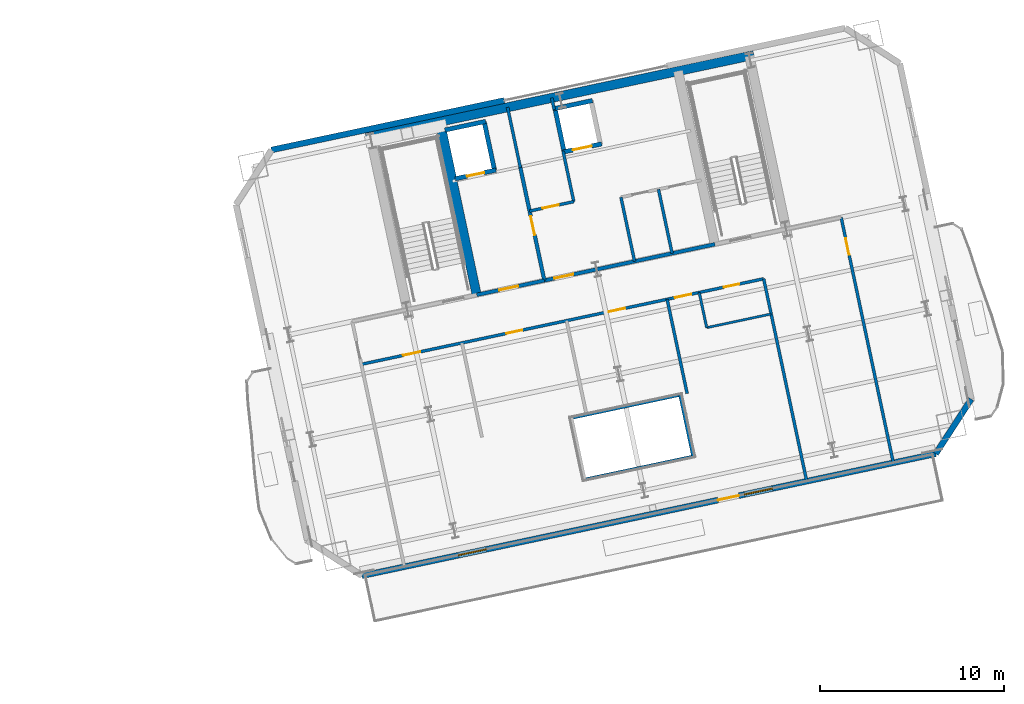
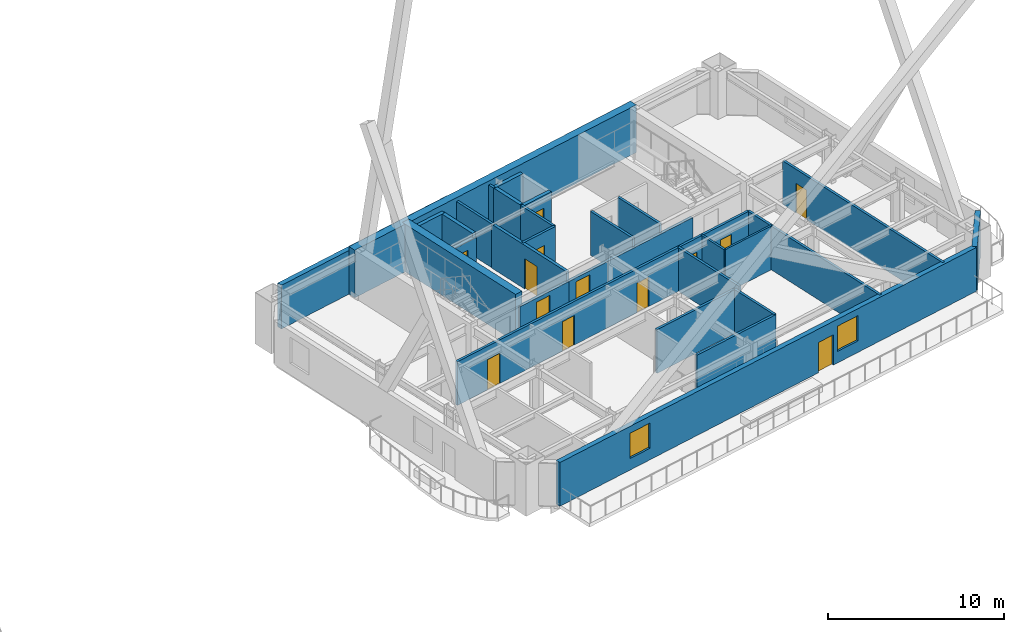
# One storey, part 14 of 22: 29 walls, 13 doors, 2 windows, 15 openings.
"""IFC4 building model written with IfcOpenShell, lengths in metres."""

from ifc_helpers import new_model, si_unit, direction, frame, frame_2d, origin, place, context, subcontext, project, spatial, rectangle, extrude, material, layer, layer_set, type_object, element, fill, save


model = new_model("IFC4")

# Units and contexts
model_context = context("Model", 3, precision=1e-05, world=origin(), true_north=direction((0.0, 1.0)))
body_context = subcontext(model_context, "Body", "Model", "MODEL_VIEW")
ifc_project = project(units=[si_unit("LENGTHUNIT", "METRE"), si_unit("AREAUNIT", "SQUARE_METRE"), si_unit("VOLUMEUNIT", "CUBIC_METRE"), si_unit("PLANEANGLEUNIT", "RADIAN"), si_unit("MASSUNIT", "GRAM", prefix="KILO")], contexts=[model_context])

# Site, building, storey
site_placement = place(None, origin())
site = spatial("IfcSite", under=ifc_project, at=site_placement, CompositionType="ELEMENT")
building_placement = place(site_placement, origin())
building = spatial("IfcBuilding", under=site, at=building_placement, Name="Haevon Station Towers", CompositionType="ELEMENT")
storey_placement = place(building_placement, frame((0.0, 0.0, 113.10009765625)))
storey = spatial("IfcBuildingStorey", under=building, at=storey_placement, Name="L30", CompositionType="ELEMENT", Elevation=113.10009765625)

# Wall, opening, door
ifc_material_1 = material(Name="Gypsum board on steel stud", Category="steel")
ifc_layer_1 = layer(ifc_material_1, 0.199951171875)
ifc_layer_set_1 = layer_set([ifc_layer_1], Name="Gypsum board on steel stud")
wall_type_1 = type_object("IfcWallType", Name="WL-COR200", PredefinedType="PARTITIONING", material=ifc_layer_set_1)
wall_1_placement = place(storey_placement, frame((106.186279296875, 39.0224609375, 0.0), z_axis=(0.0, 0.0, 1.0), x_axis=(-0.207916691923, 0.978146537703, 0.0)))
wall_1 = element("IfcWall", 1, at=wall_1_placement, inside=storey, type_object=wall_type_1, Name="WL-T2FFL-L30-E", PredefinedType="PARTITIONING", context=body_context, shape_type="SweptSolid", body=[
    extrude(rectangle(XDim=6.35009765625, YDim=0.199951171875, at=frame_2d((3.175048828125, 0.0))), origin(), (0.0, 0.0, 1.0), 3.02978515625),
])
opening_1_placement = place(wall_1_placement, frame((2.52001953125, 0.0, 0.0)))
opening_1 = element("IfcOpeningElement", 2, at=opening_1_placement, cuts=wall_1, Name="Opening DR-T2FFL-L30-E", PredefinedType="OPENING", context=body_context, shape_type="SweptSolid", body=[
    extrude(rectangle(XDim=1.050048828125, YDim=2.10009765625, at=frame_2d((0.52490234375, 1.050048828125))), frame((0.0, 0.10986328125, 0.0), z_axis=(0.0, -1.0, 0.0), x_axis=(1.0, 0.0, 0.0)), (0.0, 0.0, 1.0), 0.219970703125),
])
ifc_material_2 = material(Name="Engineered oak timber", Category="wood")
door_type_1 = type_object("IfcDoorType", Name="DR-FD60-1050", OperationType="NOTDEFINED", PredefinedType="DOOR", material=ifc_material_2)
door_1_placement = place(opening_1_placement, origin())
door_1 = element("IfcDoor", 3, at=door_1_placement, inside=storey, type_object=door_type_1, Name="L30 Tower 2 Firefighting Lift Lobby Door E", OperationType="SINGLE_SWING_RIGHT", OverallHeight=2.10009765625, OverallWidth=1.050048828125, PredefinedType="DOOR", context=body_context, shape_type="SweptSolid", body=[
    extrude(rectangle(XDim=1.050048828125, YDim=2.10009765625, at=frame_2d((0.52490234375, 1.050048828125))), frame((0.0, 0.02490234375, 0.0), z_axis=(0.0, -1.0, 0.0), x_axis=(1.0, 0.0, 0.0)), (0.0, 0.0, 1.0), 0.050048828125),
])
fill(opening_1, door_1)

wall_2_placement = place(storey_placement, frame((102.518310546875, 38.242919921875, 0.0), z_axis=(0.0, 0.0, 1.0), x_axis=(0.978153555683, 0.20788367301, 0.0)))
wall_2 = element("IfcWall", 4, at=wall_2_placement, inside=storey, type_object=wall_type_1, Name="WL-T2FFL-L30-S", PredefinedType="PARTITIONING", context=body_context, shape_type="SweptSolid", body=[
    extrude(rectangle(XDim=3.75, YDim=0.199951171875, at=frame_2d((1.875, 0.0))), origin(), (0.0, 0.0, 1.0), 2.3798828125),
])
opening_2_placement = place(wall_2_placement, frame((1.25, 0.0, 0.0)))
opening_2 = element("IfcOpeningElement", 5, at=opening_2_placement, cuts=wall_2, Name="Opening DR-T2FFL-L30-S", PredefinedType="OPENING", context=body_context, shape_type="SweptSolid", body=[
    extrude(rectangle(XDim=1.050048828125, YDim=2.10009765625, at=frame_2d((0.52490234375, 1.050048828125))), frame((0.0, 0.10986328125, 0.0), z_axis=(0.0, -1.0, 0.0), x_axis=(1.0, 0.0, 0.0)), (0.0, 0.0, 1.0), 0.219970703125),
])
door_2_placement = place(opening_2_placement, origin())
door_2 = element("IfcDoor", 6, at=door_2_placement, inside=storey, type_object=door_type_1, Name="L30 Tower 2 Firefighting Lift Lobby Door S", OperationType="SINGLE_SWING_LEFT", OverallHeight=2.10009765625, OverallWidth=1.050048828125, PredefinedType="DOOR", context=body_context, shape_type="SweptSolid", body=[
    extrude(rectangle(XDim=1.050048828125, YDim=2.10009765625, at=frame_2d((0.52490234375, 1.050048828125))), frame((0.0, 0.02490234375, 0.0), z_axis=(0.0, -1.0, 0.0), x_axis=(1.0, 0.0, 0.0)), (0.0, 0.0, 1.0), 0.050048828125),
])
fill(opening_2, door_2)

wall_3_placement = place(storey_placement, frame((106.186279296875, 39.0224609375, 0.0), z_axis=(0.0, 0.0, 1.0), x_axis=(0.978145519981, 0.20792147975, 0.0)))
wall_3 = element("IfcWall", 7, at=wall_3_placement, inside=storey, type_object=wall_type_1, Name="WL-T2CLB-L30", PredefinedType="PARTITIONING", context=body_context, shape_type="SweptSolid", body=[
    extrude(rectangle(XDim=9.449951171875, YDim=0.199951171875, at=frame_2d((4.72509765625, 0.0))), origin(), (0.0, 0.0, 1.0), 2.3798828125),
])
opening_3_placement = place(wall_3_placement, frame((0.550048828125, 0.0, 0.0)))
opening_3 = element("IfcOpeningElement", 8, at=opening_3_placement, cuts=wall_3, Name="Opening DR-T2CLB-L30-1", PredefinedType="OPENING", context=body_context, shape_type="SweptSolid", body=[
    extrude(rectangle(XDim=1.050048828125, YDim=2.10009765625, at=frame_2d((0.52490234375, 1.050048828125))), frame((0.0, 0.10986328125, 0.0), z_axis=(0.0, -1.0, 0.0), x_axis=(1.0, 0.0, 0.0)), (0.0, 0.0, 1.0), 0.219970703125),
])
door_3_placement = place(opening_3_placement, origin())
door_3 = element("IfcDoor", 9, at=door_3_placement, inside=storey, type_object=door_type_1, Name="L30 Tower 2 Core Lift Lobby Door 1", OperationType="SINGLE_SWING_RIGHT", OverallHeight=2.10009765625, OverallWidth=1.050048828125, PredefinedType="DOOR", context=body_context, shape_type="SweptSolid", body=[
    extrude(rectangle(XDim=1.050048828125, YDim=2.10009765625, at=frame_2d((0.52490234375, 1.050048828125))), frame((0.0, 0.02490234375, 0.0), z_axis=(0.0, -1.0, 0.0), x_axis=(1.0, 0.0, 0.0)), (0.0, 0.0, 1.0), 0.050048828125),
])
fill(opening_3, door_3)

# Walls
ifc_material_3 = material(Name="Concrete C60/75", Category="concrete")
ifc_layer_2 = layer(ifc_material_3, 0.5)
ifc_layer_set_2 = layer_set([ifc_layer_2], Name="Concrete C60/75")
wall_type_2 = type_object("IfcWallType", Name="WL-CR500", PredefinedType="SHEAR", material=ifc_layer_set_2)
wall_4_placement = place(storey_placement, frame((96.511962890625, 46.78076171875, 0.0), z_axis=(0.0, 0.0, 1.0), x_axis=(0.978148546782, 0.207907239961, 0.0)))
element("IfcWall", 10, at=wall_4_placement, inside=storey, type_object=wall_type_2, Name="WL-T2CR-L30-N", PredefinedType="SHEAR", context=body_context, shape_type="SweptSolid", body=[
    extrude(rectangle(XDim=21.499755859375, YDim=0.5, at=frame_2d((10.75, 0.0))), origin(), (0.0, 0.0, 1.0), 3.2998046875),
])
wall_5_placement = place(storey_placement, frame((102.518310546875, 38.242919921875, 0.0), z_axis=(0.0, 0.0, 1.0), x_axis=(-0.207927495108, 0.978144241295, 0.0)))
element("IfcWall", 11, at=wall_5_placement, inside=storey, type_object=wall_type_2, Name="WL-T2CR-L30-M1", PredefinedType="SHEAR", context=body_context, shape_type="SweptSolid", body=[
    extrude(rectangle(XDim=9.599853515625, YDim=0.5, at=frame_2d((4.7998046875, 0.0))), origin(), (0.0, 0.0, 1.0), 3.2998046875),
])

# Wall, openings, door, windows
ifc_material_4 = material(Name="Precast concrete C45/55", Category="concrete")
ifc_layer_3 = layer(ifc_material_4, 0.320068359375)
ifc_layer_set_3 = layer_set([ifc_layer_3], Name="Precast concrete C45/55")
wall_type_3 = type_object("IfcWallType", Name="WL-EXT-PIER320", PredefinedType="SOLIDWALL", material=ifc_layer_set_3)
wall_6_placement = place(storey_placement, frame((127.403076171875, 29.62841796875, 0.0), z_axis=(0.0, 0.0, 1.0), x_axis=(-0.978147903401, -0.207910266877, 0.0)))
wall_6 = element("IfcWall", 12, at=wall_6_placement, inside=storey, type_object=wall_type_3, Name="WL-T2-L30-S", PredefinedType="SOLIDWALL", context=body_context, shape_type="SweptSolid", body=[
    extrude(rectangle(XDim=31.800048828125, YDim=0.320068359375, at=frame_2d((15.89990234375, 0.0))), origin(), (0.0, 0.0, 1.0), 3.02978515625),
])
opening_4_placement = place(wall_6_placement, frame((10.914306640625, 0.0, 0.0)))
opening_4 = element("IfcOpeningElement", 13, at=opening_4_placement, cuts=wall_6, Name="Opening DR-T2-SKYG-L30", PredefinedType="OPENING", context=body_context, shape_type="SweptSolid", body=[
    extrude(rectangle(XDim=1.14990234375, YDim=2.10009765625, at=frame_2d((0.574951171875, 1.050048828125))), frame((0.0, 0.169921875, 0.0), z_axis=(0.0, -1.0, 0.0), x_axis=(1.0, 0.0, 0.0)), (0.0, 0.0, 1.0), 0.340087890625),
])
opening_5_placement = place(wall_6_placement, frame((24.907958984375, 0.0, 0.800048828125)))
opening_5 = element("IfcOpeningElement", 14, at=opening_5_placement, cuts=wall_6, Name="Opening WN-P155", PredefinedType="OPENING", context=body_context, shape_type="SweptSolid", body=[
    extrude(rectangle(XDim=1.550048828125, YDim=1.75, at=frame_2d((0.77490234375, 0.875))), frame((0.0, 0.169921875, 0.0), z_axis=(0.0, -1.0, 0.0), x_axis=(1.0, 0.0, 0.0)), (0.0, 0.0, 1.0), 0.340087890625),
])
opening_6_placement = place(wall_6_placement, frame((9.051025390625, 0.0, 0.800048828125)))
opening_6 = element("IfcOpeningElement", 15, at=opening_6_placement, cuts=wall_6, Name="Opening WN-P155", PredefinedType="OPENING", context=body_context, shape_type="SweptSolid", body=[
    extrude(rectangle(XDim=1.550048828125, YDim=1.75, at=frame_2d((0.77490234375, 0.875))), frame((0.0, 0.169921875, 0.0), z_axis=(0.0, -1.0, 0.0), x_axis=(1.0, 0.0, 0.0)), (0.0, 0.0, 1.0), 0.340087890625),
])
ifc_material_5 = material(Name="Thermally broken anodised aluminium and laminated safety glass", Category="aluminium")
door_type_2 = type_object("IfcDoorType", Name="DR-BALC-1150", OperationType="NOTDEFINED", PredefinedType="DOOR", material=ifc_material_5)
door_4_placement = place(opening_4_placement, origin())
door_4 = element("IfcDoor", 16, at=door_4_placement, inside=storey, type_object=door_type_2, Name="Tower 2 L30 Sky Garden Terrace Door", OperationType="SINGLE_SWING_RIGHT", OverallHeight=2.10009765625, OverallWidth=1.14990234375, PredefinedType="DOOR", context=body_context, shape_type="SweptSolid", body=[
    extrude(rectangle(XDim=1.14990234375, YDim=2.10009765625, at=frame_2d((0.574951171875, 1.050048828125))), frame((0.0, 0.02490234375, 0.0), z_axis=(0.0, -1.0, 0.0), x_axis=(1.0, 0.0, 0.0)), (0.0, 0.0, 1.0), 0.050048828125),
])
fill(opening_4, door_4)
ifc_material_6 = material(Name="Low-E triple glazing in thermally broken aluminium", Category="aluminium")
window_type = type_object("IfcWindowType", Name="WN-P155", PartitioningType="SINGLE_PANEL", PredefinedType="WINDOW", material=ifc_material_6)
window_1_placement = place(opening_5_placement, origin())
window_1 = element("IfcWindow", 17, at=window_1_placement, inside=storey, type_object=window_type, Name="WN-T2-L30-S01", OverallHeight=1.75, OverallWidth=1.550048828125, PartitioningType="SINGLE_PANEL", PredefinedType="WINDOW", context=body_context, shape_type="SweptSolid", body=[
    extrude(rectangle(XDim=1.550048828125, YDim=1.75, at=frame_2d((0.77490234375, 0.875))), frame((0.0, 0.030029296875, 0.0), z_axis=(0.0, -1.0, 0.0), x_axis=(1.0, 0.0, 0.0)), (0.0, 0.0, 1.0), 0.06005859375),
])
fill(opening_5, window_1)
window_2_placement = place(opening_6_placement, origin())
window_2 = element("IfcWindow", 18, at=window_2_placement, inside=storey, type_object=window_type, Name="WN-T2-L30-S02", OverallHeight=1.75, OverallWidth=1.550048828125, PartitioningType="SINGLE_PANEL", PredefinedType="WINDOW", context=body_context, shape_type="SweptSolid", body=[
    extrude(rectangle(XDim=1.550048828125, YDim=1.75, at=frame_2d((0.77490234375, 0.875))), frame((0.0, 0.030029296875, 0.0), z_axis=(0.0, -1.0, 0.0), x_axis=(1.0, 0.0, 0.0)), (0.0, 0.0, 1.0), 0.06005859375),
])
fill(opening_6, window_2)

# Walls
wall_7_placement = place(storey_placement, frame((91.391357421875, 46.10107421875, 0.0), z_axis=(0.0, 0.0, 1.0), x_axis=(0.978145910165, 0.207919644159, 0.0)))
element("IfcWall", 19, at=wall_7_placement, inside=storey, type_object=wall_type_3, Name="WL-T2-L30-N1", PredefinedType="SOLIDWALL", context=body_context, shape_type="SweptSolid", body=[
    extrude(rectangle(XDim=12.89990234375, YDim=0.320068359375, at=frame_2d((6.449951171875, 0.0))), origin(), (0.0, 0.0, 1.0), 3.02978515625),
])
wall_8_placement = place(storey_placement, frame((129.32861328125, 32.593505859375, 0.0), z_axis=(0.0, 0.0, 1.0), x_axis=(-0.544636352948, -0.838672309694, 0.0)))
element("IfcWall", 20, at=wall_8_placement, inside=storey, type_object=wall_type_3, Name="WL-T2-L30-SEC", PredefinedType="SOLIDWALL", context=body_context, shape_type="SweptSolid", body=[
    extrude(rectangle(XDim=3.535400390625, YDim=0.320068359375, at=frame_2d((1.767578125, 0.0))), origin(), (0.0, 0.0, 1.0), 3.02978515625),
])
ifc_layer_4 = layer(ifc_material_1, 0.125)
ifc_layer_set_4 = layer_set([ifc_layer_4], Name="Gypsum board on steel stud")
wall_type_4 = type_object("IfcWallType", Name="WL-PRT125", PredefinedType="PARTITIONING", material=ifc_layer_set_4)
wall_9_placement = place(storey_placement, frame((114.988037109375, 36.466552734375, 0.0), z_axis=(0.0, 0.0, 1.0), x_axis=(0.978146168365, 0.207918429471, 0.0)))
element("IfcWall", 21, at=wall_9_placement, inside=storey, type_object=wall_type_4, Name="WL-T2PT-L30-15", PredefinedType="PARTITIONING", context=body_context, shape_type="SweptSolid", body=[
    extrude(rectangle(XDim=3.572021484375, YDim=0.125, at=frame_2d((1.7861328125, 0.0))), origin(), (0.0, 0.0, 1.0), 3.02978515625),
])
ifc_layer_5 = layer(ifc_material_1, 0.139892578125)
ifc_layer_set_5 = layer_set([ifc_layer_5], Name="Gypsum board on steel stud")
wall_type_5 = type_object("IfcWallType", Name="WL-PRT140", PredefinedType="PARTITIONING", material=ifc_layer_set_5)
wall_10_placement = place(storey_placement, frame((114.988037109375, 36.466552734375, 0.0), z_axis=(0.0, 0.0, 1.0), x_axis=(-0.207947096322, 0.978140074392, 0.0)))
element("IfcWall", 22, at=wall_10_placement, inside=storey, type_object=wall_type_5, Name="WL-T2PT-L30-16", PredefinedType="PARTITIONING", context=body_context, shape_type="SweptSolid", body=[
    extrude(rectangle(XDim=1.9501953125, YDim=0.139892578125, at=frame_2d((0.97509765625, 0.0))), origin(), (0.0, 0.0, 1.0), 3.02978515625),
])
ifc_layer_6 = layer(ifc_material_1, 0.159912109375)
ifc_layer_set_6 = layer_set([ifc_layer_6], Name="Gypsum board on steel stud")
wall_type_6 = type_object("IfcWallType", Name="WL-PRT160", PredefinedType="PARTITIONING", material=ifc_layer_set_6)
wall_11_placement = place(storey_placement, frame((104.88671875, 45.135986328125, 0.0), z_axis=(0.0, 0.0, 1.0), x_axis=(-0.207846553267, 0.978161443881, 0.0)))
element("IfcWall", 23, at=wall_11_placement, inside=storey, type_object=wall_type_6, Name="WL-T2CW-L30-01", PredefinedType="PARTITIONING", context=body_context, shape_type="SweptSolid", body=[
    extrude(rectangle(XDim=3.35009765625, YDim=0.159912109375, at=frame_2d((1.675048828125, 0.0))), origin(), (0.0, 0.0, 1.0), 3.02978515625),
])

# Wall, opening, door
wall_12_placement = place(storey_placement, frame((105.3857421875, 42.788330078125, 0.0), z_axis=(0.0, 0.0, 1.0), x_axis=(0.978136559131, 0.207963630695, 0.0)))
wall_12 = element("IfcWall", 24, at=wall_12_placement, inside=storey, type_object=wall_type_6, Name="WL-T2CW-L30-02", PredefinedType="PARTITIONING", context=body_context, shape_type="SweptSolid", body=[
    extrude(rectangle(XDim=2.449951171875, YDim=0.159912109375, at=frame_2d((1.22509765625, 0.0))), origin(), (0.0, 0.0, 1.0), 3.02978515625),
])
opening_7_placement = place(wall_12_placement, frame((0.719970703125, 0.0, 0.0)))
opening_7 = element("IfcOpeningElement", 25, at=opening_7_placement, cuts=wall_12, Name="Opening DR-WL-T2CW-L30-02-1", PredefinedType="OPENING", context=body_context, shape_type="SweptSolid", body=[
    extrude(rectangle(XDim=0.89990234375, YDim=2.10009765625, at=frame_2d((0.449951171875, 1.050048828125))), frame((0.0, 0.08984375, 0.0), z_axis=(0.0, -1.0, 0.0), x_axis=(1.0, 0.0, 0.0)), (0.0, 0.0, 1.0), 0.179931640625),
])
door_type_3 = type_object("IfcDoorType", Name="DR-FD60-900", OperationType="NOTDEFINED", PredefinedType="DOOR", material=ifc_material_2)
door_5_placement = place(opening_7_placement, origin())
door_5 = element("IfcDoor", 26, at=door_5_placement, inside=storey, type_object=door_type_3, Name="L30 Tower 2 Core Room Door 2-1", OperationType="SINGLE_SWING_LEFT", OverallHeight=2.10009765625, OverallWidth=0.89990234375, PredefinedType="DOOR", context=body_context, shape_type="SweptSolid", body=[
    extrude(rectangle(XDim=0.89990234375, YDim=2.10009765625, at=frame_2d((0.449951171875, 1.050048828125))), frame((0.0, 0.02490234375, 0.0), z_axis=(0.0, -1.0, 0.0), x_axis=(1.0, 0.0, 0.0)), (0.0, 0.0, 1.0), 0.050048828125),
])
fill(opening_7, door_5)

# Walls
wall_13_placement = place(storey_placement, frame((107.7822265625, 43.2978515625, 0.0), z_axis=(0.0, 0.0, 1.0), x_axis=(-0.207873355681, 0.978155748334, 0.0)))
element("IfcWall", 27, at=wall_13_placement, inside=storey, type_object=wall_type_6, Name="WL-T2CW-L30-03", PredefinedType="PARTITIONING", context=body_context, shape_type="SweptSolid", body=[
    extrude(rectangle(XDim=2.800048828125, YDim=0.159912109375, at=frame_2d((1.39990234375, 0.0))), origin(), (0.0, 0.0, 1.0), 3.02978515625),
])
wall_14_placement = place(storey_placement, frame((106.721923828125, 48.286376953125, 0.0), z_axis=(0.0, 0.0, 1.0), x_axis=(-0.208092352933, 0.978109182377, 0.0)))
element("IfcWall", 28, at=wall_14_placement, inside=storey, type_object=wall_type_6, Name="WL-T2CW-L30-04", PredefinedType="PARTITIONING", context=body_context, shape_type="SweptSolid", body=[
    extrude(rectangle(XDim=0.64990234375, YDim=0.159912109375, at=frame_2d((0.324951171875, 0.0))), origin(), (0.0, 0.0, 1.0), 3.02978515625),
])
for number, where, z_axis, x_axis, name in (
    (29, (111.076904296875, 40.06201171875, 0.0), (0.0, 0.0, 1.0), (-0.207899058817, 0.978150285663, 0.0), "WL-T2CW-L30-05"),
    (30, (113.111572265625, 40.49462890625, 0.0), (0.0, 0.0, 1.0), (-0.207899058817, 0.978150285663, 0.0), "WL-T2CW-L30-06"),
):
    element("IfcWall", number, at=place(storey_placement, frame(where, z_axis=z_axis, x_axis=x_axis)), inside=storey, type_object=wall_type_6, Name=name, PredefinedType="PARTITIONING", context=body_context, shape_type="SweptSolid", body=[
        extrude(rectangle(XDim=3.550048828125, YDim=0.159912109375, at=frame_2d((1.77490234375, 0.0))), origin(), (0.0, 0.0, 1.0), 3.02978515625),
    ])
wall_15_placement = place(storey_placement, frame((120.4091796875, 28.141845703125, 0.0), z_axis=(0.0, 0.0, 1.0), x_axis=(-0.207910543356, 0.978147844634, 0.0)))
element("IfcWall", 31, at=wall_15_placement, inside=storey, type_object=wall_type_6, Name="WL-T2PT-L30-01", PredefinedType="PARTITIONING", context=body_context, shape_type="SweptSolid", body=[
    extrude(rectangle(XDim=11.219970703125, YDim=0.159912109375, at=frame_2d((5.60986328125, 0.0))), origin(), (0.0, 0.0, 1.0), 3.02978515625),
])

# Wall, opening, door
wall_16_placement = place(storey_placement, frame((125.1044921875, 29.139892578125, 0.0), z_axis=(0.0, 0.0, 1.0), x_axis=(-0.207915436261, 0.978146804608, 0.0)))
wall_16 = element("IfcWall", 32, at=wall_16_placement, inside=storey, type_object=wall_type_6, Name="WL-T2PT-L30-05", PredefinedType="PARTITIONING", context=body_context, shape_type="SweptSolid", body=[
    extrude(rectangle(XDim=13.599853515625, YDim=0.159912109375, at=frame_2d((6.7998046875, 0.0))), origin(), (0.0, 0.0, 1.0), 3.02978515625),
])
opening_8_placement = place(wall_16_placement, frame((11.5400390625, 0.0, 0.0)))
opening_8 = element("IfcOpeningElement", 33, at=opening_8_placement, cuts=wall_16, Name="Opening DR-WL-T2PT-L30-05-01", PredefinedType="OPENING", context=body_context, shape_type="SweptSolid", body=[
    extrude(rectangle(XDim=0.89990234375, YDim=2.050048828125, at=frame_2d((0.449951171875, 1.02490234375))), frame((0.0, 0.08984375, 0.0), z_axis=(0.0, -1.0, 0.0), x_axis=(1.0, 0.0, 0.0)), (0.0, 0.0, 1.0), 0.179931640625),
])
door_type_4 = type_object("IfcDoorType", Name="DR-INT-900", OperationType="NOTDEFINED", PredefinedType="DOOR", material=ifc_material_2)
door_6_placement = place(opening_8_placement, origin())
door_6 = element("IfcDoor", 34, at=door_6_placement, inside=storey, type_object=door_type_4, Name="L30 Tower 2 Room Door 5-1", OperationType="SINGLE_SWING_LEFT", OverallHeight=2.050048828125, OverallWidth=0.89990234375, PredefinedType="DOOR", context=body_context, shape_type="SweptSolid", body=[
    extrude(rectangle(XDim=0.89990234375, YDim=2.050048828125, at=frame_2d((0.449951171875, 1.02490234375))), frame((0.0, 0.02490234375, 0.0), z_axis=(0.0, -1.0, 0.0), x_axis=(1.0, 0.0, 0.0)), (0.0, 0.0, 1.0), 0.050048828125),
])
fill(opening_8, door_6)

# Walls
wall_17_placement = place(storey_placement, frame((108.37548828125, 28.2421875, 0.0), z_axis=(0.0, 0.0, 1.0), x_axis=(0.978152955943, 0.207886494942, 0.0)))
element("IfcWall", 35, at=wall_17_placement, inside=storey, type_object=wall_type_6, Name="WL-T2PT-L30-06", PredefinedType="PARTITIONING", context=body_context, shape_type="SweptSolid", body=[
    extrude(rectangle(XDim=6.0, YDim=0.159912109375, at=frame_2d((3.0, 0.0))), origin(), (0.0, 0.0, 1.0), 3.02978515625),
])
wall_18_placement = place(storey_placement, frame((107.668701171875, 31.56787109375, 0.0), z_axis=(0.0, 0.0, 1.0), x_axis=(0.978151197336, 0.207894769415, 0.0)))
element("IfcWall", 36, at=wall_18_placement, inside=storey, type_object=wall_type_6, Name="WL-T2PT-L30-07", PredefinedType="PARTITIONING", context=body_context, shape_type="SweptSolid", body=[
    extrude(rectangle(XDim=5.999755859375, YDim=0.159912109375, at=frame_2d((3.0, 0.0))), origin(), (0.0, 0.0, 1.0), 3.02978515625),
])
wall_19_placement = place(storey_placement, frame((114.244384765625, 29.489501953125, 0.0), z_axis=(0.0, 0.0, 1.0), x_axis=(-0.207949787024, 0.97813950236, 0.0)))
element("IfcWall", 37, at=wall_19_placement, inside=storey, type_object=wall_type_6, Name="WL-T2PT-L30-09", PredefinedType="PARTITIONING", context=body_context, shape_type="SweptSolid", body=[
    extrude(rectangle(XDim=3.39990234375, YDim=0.159912109375, at=frame_2d((1.699951171875, 0.0))), origin(), (0.0, 0.0, 1.0), 3.02978515625),
])
wall_20_placement = place(storey_placement, frame((113.9267578125, 32.89794921875, 0.0), z_axis=(0.0, 0.0, 1.0), x_axis=(-0.20789343652, 0.978151480626, 0.0)))
element("IfcWall", 38, at=wall_20_placement, inside=storey, type_object=wall_type_6, Name="WL-T2PT-L30-13", PredefinedType="PARTITIONING", context=body_context, shape_type="SweptSolid", body=[
    extrude(rectangle(XDim=5.219970703125, YDim=0.159912109375, at=frame_2d((2.60986328125, 0.0))), origin(), (0.0, 0.0, 1.0), 3.02978515625),
])

# Wall, openings, doors
wall_21_placement = place(storey_placement, frame((96.263916015625, 34.480224609375, 0.0), z_axis=(0.0, 0.0, 1.0), x_axis=(0.978146829126, 0.207915320916, 0.0)))
wall_21 = element("IfcWall", 39, at=wall_21_placement, inside=storey, type_object=wall_type_6, Name="WL-T2PT-L30-17", PredefinedType="PARTITIONING", context=body_context, shape_type="SweptSolid", body=[
    extrude(rectangle(XDim=22.2998046875, YDim=0.159912109375, at=frame_2d((11.14990234375, 0.0))), origin(), (0.0, 0.0, 1.0), 3.02978515625),
])
opening_9_placement = place(wall_21_placement, frame((2.31201171875, 0.0, 0.0)))
opening_9 = element("IfcOpeningElement", 40, at=opening_9_placement, cuts=wall_21, Name="Opening DR-WL-T2PT-L30-17-01", PredefinedType="OPENING", context=body_context, shape_type="SweptSolid", body=[
    extrude(rectangle(XDim=0.949951171875, YDim=2.10009765625, at=frame_2d((0.47509765625, 1.050048828125))), frame((0.0, 0.08984375, 0.0), z_axis=(0.0, -1.0, 0.0), x_axis=(1.0, 0.0, 0.0)), (0.0, 0.0, 1.0), 0.179931640625),
])
opening_10_placement = place(wall_21_placement, frame((8.02392578125, 0.0, 0.0)))
opening_10 = element("IfcOpeningElement", 41, at=opening_10_placement, cuts=wall_21, Name="Opening DR-WL-T2PT-L30-17-02", PredefinedType="OPENING", context=body_context, shape_type="SweptSolid", body=[
    extrude(rectangle(XDim=0.89990234375, YDim=2.050048828125, at=frame_2d((0.449951171875, 1.02490234375))), frame((0.0, 0.08984375, 0.0), z_axis=(0.0, -1.0, 0.0), x_axis=(1.0, 0.0, 0.0)), (0.0, 0.0, 1.0), 0.179931640625),
])
opening_11_placement = place(wall_21_placement, frame((13.7109375, 0.0, 0.0)))
opening_11 = element("IfcOpeningElement", 42, at=opening_11_placement, cuts=wall_21, Name="Opening DR-WL-T2PT-L30-17-03", PredefinedType="OPENING", context=body_context, shape_type="SweptSolid", body=[
    extrude(rectangle(XDim=0.89990234375, YDim=2.050048828125, at=frame_2d((0.449951171875, 1.02490234375))), frame((0.0, 0.08984375, 0.0), z_axis=(0.0, -1.0, 0.0), x_axis=(1.0, 0.0, 0.0)), (0.0, 0.0, 1.0), 0.179931640625),
])
opening_12_placement = place(wall_21_placement, frame((20.089111328125, 0.0, 0.0)))
opening_12 = element("IfcOpeningElement", 43, at=opening_12_placement, cuts=wall_21, Name="Opening DR-WL-T2PT-L30-17-04", PredefinedType="OPENING", context=body_context, shape_type="SweptSolid", body=[
    extrude(rectangle(XDim=0.85009765625, YDim=2.050048828125, at=frame_2d((0.425048828125, 1.02490234375))), frame((0.0, 0.08984375, 0.0), z_axis=(0.0, -1.0, 0.0), x_axis=(1.0, 0.0, 0.0)), (0.0, 0.0, 1.0), 0.179931640625),
])
opening_13_placement = place(wall_21_placement, frame((17.387939453125, 0.0, 0.0)))
opening_13 = element("IfcOpeningElement", 44, at=opening_13_placement, cuts=wall_21, Name="Opening DR-WL-T2PT-L30-17-05", PredefinedType="OPENING", context=body_context, shape_type="SweptSolid", body=[
    extrude(rectangle(XDim=0.89990234375, YDim=2.050048828125, at=frame_2d((0.449951171875, 1.02490234375))), frame((0.0, 0.08984375, 0.0), z_axis=(0.0, -1.0, 0.0), x_axis=(1.0, 0.0, 0.0)), (0.0, 0.0, 1.0), 0.179931640625),
])
door_type_5 = type_object("IfcDoorType", Name="DR-FD30-850", OperationType="NOTDEFINED", PredefinedType="DOOR", material=ifc_material_2)
door_7_placement = place(opening_12_placement, origin())
door_7 = element("IfcDoor", 45, at=door_7_placement, inside=storey, type_object=door_type_5, Name="L30 Tower 2 Room Door 17-4", OperationType="SINGLE_SWING_LEFT", OverallHeight=2.050048828125, OverallWidth=0.85009765625, PredefinedType="DOOR", context=body_context, shape_type="SweptSolid", body=[
    extrude(rectangle(XDim=0.85009765625, YDim=2.050048828125, at=frame_2d((0.425048828125, 1.02490234375))), frame((0.0, 0.02490234375, 0.0), z_axis=(0.0, -1.0, 0.0), x_axis=(1.0, 0.0, 0.0)), (0.0, 0.0, 1.0), 0.050048828125),
])
fill(opening_12, door_7)
door_type_6 = type_object("IfcDoorType", Name="DR-FD30-950", OperationType="NOTDEFINED", PredefinedType="DOOR", material=ifc_material_2)
door_8_placement = place(opening_9_placement, origin())
door_8 = element("IfcDoor", 46, at=door_8_placement, inside=storey, type_object=door_type_6, Name="L30 Tower 2 Room Door 17-1", OperationType="SINGLE_SWING_RIGHT", OverallHeight=2.10009765625, OverallWidth=0.949951171875, PredefinedType="DOOR", context=body_context, shape_type="SweptSolid", body=[
    extrude(rectangle(XDim=0.949951171875, YDim=2.10009765625, at=frame_2d((0.47509765625, 1.050048828125))), frame((0.0, 0.02490234375, 0.0), z_axis=(0.0, -1.0, 0.0), x_axis=(1.0, 0.0, 0.0)), (0.0, 0.0, 1.0), 0.050048828125),
])
fill(opening_9, door_8)
door_9_placement = place(opening_10_placement, origin())
door_9 = element("IfcDoor", 47, at=door_9_placement, inside=storey, type_object=door_type_4, Name="L30 Tower 2 Room Door 17-2", OperationType="SINGLE_SWING_LEFT", OverallHeight=2.050048828125, OverallWidth=0.89990234375, PredefinedType="DOOR", context=body_context, shape_type="SweptSolid", body=[
    extrude(rectangle(XDim=0.89990234375, YDim=2.050048828125, at=frame_2d((0.449951171875, 1.02490234375))), frame((0.0, 0.02490234375, 0.0), z_axis=(0.0, -1.0, 0.0), x_axis=(1.0, 0.0, 0.0)), (0.0, 0.0, 1.0), 0.050048828125),
])
fill(opening_10, door_9)
door_10_placement = place(opening_11_placement, origin())
door_10 = element("IfcDoor", 48, at=door_10_placement, inside=storey, type_object=door_type_4, Name="L30 Tower 2 Room Door 17-3", OperationType="SINGLE_SWING_RIGHT", OverallHeight=2.050048828125, OverallWidth=0.89990234375, PredefinedType="DOOR", context=body_context, shape_type="SweptSolid", body=[
    extrude(rectangle(XDim=0.89990234375, YDim=2.050048828125, at=frame_2d((0.449951171875, 1.02490234375))), frame((0.0, 0.02490234375, 0.0), z_axis=(0.0, -1.0, 0.0), x_axis=(1.0, 0.0, 0.0)), (0.0, 0.0, 1.0), 0.050048828125),
])
fill(opening_11, door_10)
door_11_placement = place(opening_13_placement, origin())
door_11 = element("IfcDoor", 49, at=door_11_placement, inside=storey, type_object=door_type_4, Name="L30 Tower 2 Room Door 17-5", OperationType="SINGLE_SWING_RIGHT", OverallHeight=2.050048828125, OverallWidth=0.89990234375, PredefinedType="DOOR", context=body_context, shape_type="SweptSolid", body=[
    extrude(rectangle(XDim=0.89990234375, YDim=2.050048828125, at=frame_2d((0.449951171875, 1.02490234375))), frame((0.0, 0.02490234375, 0.0), z_axis=(0.0, -1.0, 0.0), x_axis=(1.0, 0.0, 0.0)), (0.0, 0.0, 1.0), 0.050048828125),
])
fill(opening_13, door_11)

# Wall, opening, door
ifc_material_7 = material(Name="Concrete C40/50", Category="concrete")
ifc_layer_7 = layer(ifc_material_7, 0.239990234375)
ifc_layer_set_7 = layer_set([ifc_layer_7], Name="Concrete C40/50")
wall_type_7 = type_object("IfcWallType", Name="WL-SHF240", PredefinedType="PARTITIONING", material=ifc_layer_set_7)
wall_22_placement = place(storey_placement, frame((101.353759765625, 44.538330078125, 0.0), z_axis=(0.0, 0.0, 1.0), x_axis=(0.978141002414, 0.207942731049, 0.0)))
wall_22 = element("IfcWall", 50, at=wall_22_placement, inside=storey, type_object=wall_type_7, Name="WL-SHF-FL2-L30", PredefinedType="PARTITIONING", context=body_context, shape_type="SweptSolid", body=[
    extrude(rectangle(XDim=2.260009765625, YDim=0.239990234375, at=frame_2d((1.1298828125, 0.0))), origin(), (0.0, 0.0, 1.0), 2.72998046875),
])
opening_14_placement = place(wall_22_placement, frame((0.655029296875, 0.0, 0.0)))
opening_14 = element("IfcOpeningElement", 51, at=opening_14_placement, cuts=wall_22, Name="Opening LD-FL2-L30", PredefinedType="OPENING", context=body_context, shape_type="SweptSolid", body=[
    extrude(rectangle(XDim=0.949951171875, YDim=2.14990234375, at=frame_2d((0.47509765625, 1.074951171875))), frame((0.0, 0.1298828125, 0.0), z_axis=(0.0, -1.0, 0.0), x_axis=(1.0, 0.0, 0.0)), (0.0, 0.0, 1.0), 0.260009765625),
])
ifc_material_8 = material(Name="Stainless steel and rated core", Category="steel")
door_type_7 = type_object("IfcDoorType", Name="LD-FL950", OperationType="SLIDING_TO_LEFT", PredefinedType="DOOR", material=ifc_material_8)
door_12_placement = place(opening_14_placement, origin())
door_12 = element("IfcDoor", 52, at=door_12_placement, inside=storey, type_object=door_type_7, Name="L30 Lift FL2 Sliding Landing Door", OperationType="SLIDING_TO_LEFT", OverallHeight=2.14990234375, OverallWidth=0.949951171875, PredefinedType="DOOR", context=body_context, shape_type="SweptSolid", body=[
    extrude(rectangle(XDim=0.949951171875, YDim=2.14990234375, at=frame_2d((0.47509765625, 1.074951171875))), frame((0.0, 0.02490234375, 0.0), z_axis=(0.0, -1.0, 0.0), x_axis=(1.0, 0.0, 0.0)), (0.0, 0.0, 1.0), 0.050048828125),
])
fill(opening_14, door_12)

# Walls
wall_23_placement = place(storey_placement, frame((100.79248046875, 47.179443359375, 0.0), z_axis=(0.0, 0.0, 1.0), x_axis=(0.978162968872, 0.207839376268, 0.0)))
element("IfcWall", 53, at=wall_23_placement, inside=storey, type_object=wall_type_7, Name="WL-SHF-FL2-L30-N", PredefinedType="PARTITIONING", context=body_context, shape_type="SweptSolid", body=[
    extrude(rectangle(XDim=2.260009765625, YDim=0.239990234375, at=frame_2d((1.1298828125, 0.0))), origin(), (0.0, 0.0, 1.0), 3.02978515625),
])
wall_24_placement = place(storey_placement, frame((103.486328125, 44.99169921875, 0.0), z_axis=(0.0, 0.0, 1.0), x_axis=(-0.207978798957, 0.978133334052, 0.0)))
element("IfcWall", 54, at=wall_24_placement, inside=storey, type_object=wall_type_7, Name="WL-SHF-FL2-L30-E", PredefinedType="PARTITIONING", context=body_context, shape_type="SweptSolid", body=[
    extrude(rectangle(XDim=2.699951171875, YDim=0.239990234375, at=frame_2d((1.35009765625, 0.0))), origin(), (0.0, 0.0, 1.0), 3.02978515625),
])

# Wall, opening, door
wall_25_placement = place(storey_placement, frame((107.18115234375, 45.9814453125, 0.0), z_axis=(0.0, 0.0, 1.0), x_axis=(0.97813528961, 0.207969601673, 0.0)))
wall_25 = element("IfcWall", 55, at=wall_25_placement, inside=storey, type_object=wall_type_7, Name="WL-SHF-PL8-L30", PredefinedType="PARTITIONING", context=body_context, shape_type="SweptSolid", body=[
    extrude(rectangle(XDim=2.159912109375, YDim=0.239990234375, at=frame_2d((1.080078125, 0.0))), origin(), (0.0, 0.0, 1.0), 3.02978515625),
])
opening_15_placement = place(wall_25_placement, frame((0.554931640625, 0.0, 0.0)))
opening_15 = element("IfcOpeningElement", 56, at=opening_15_placement, cuts=wall_25, Name="Opening LD-PL8-L30", PredefinedType="OPENING", context=body_context, shape_type="SweptSolid", body=[
    extrude(rectangle(XDim=1.050048828125, YDim=2.14990234375, at=frame_2d((0.52490234375, 1.074951171875))), frame((0.0, 0.1298828125, 0.0), z_axis=(0.0, -1.0, 0.0), x_axis=(1.0, 0.0, 0.0)), (0.0, 0.0, 1.0), 0.260009765625),
])
door_type_8 = type_object("IfcDoorType", Name="LD-PL1050", OperationType="SLIDING_TO_LEFT", PredefinedType="DOOR", material=ifc_material_8)
door_13_placement = place(opening_15_placement, origin())
door_13 = element("IfcDoor", 57, at=door_13_placement, inside=storey, type_object=door_type_8, Name="L30 Lift PL8 Sliding Landing Door", OperationType="SLIDING_TO_LEFT", OverallHeight=2.14990234375, OverallWidth=1.050048828125, PredefinedType="DOOR", context=body_context, shape_type="SweptSolid", body=[
    extrude(rectangle(XDim=1.050048828125, YDim=2.14990234375, at=frame_2d((0.52490234375, 1.074951171875))), frame((0.0, 0.02490234375, 0.0), z_axis=(0.0, -1.0, 0.0), x_axis=(1.0, 0.0, 0.0)), (0.0, 0.0, 1.0), 0.050048828125),
])
fill(opening_15, door_13)

# Walls
wall_26_placement = place(storey_placement, frame((106.68212890625, 48.3291015625, 0.0), z_axis=(0.0, 0.0, 1.0), x_axis=(0.978158276388, 0.207861459473, 0.0)))
element("IfcWall", 58, at=wall_26_placement, inside=storey, type_object=wall_type_7, Name="WL-SHF-PL8-L30-N", PredefinedType="PARTITIONING", context=body_context, shape_type="SweptSolid", body=[
    extrude(rectangle(XDim=2.159912109375, YDim=0.239990234375, at=frame_2d((1.080078125, 0.0))), origin(), (0.0, 0.0, 1.0), 3.02978515625),
])
wall_27_placement = place(storey_placement, frame((107.259521484375, 45.998046875, 0.0), z_axis=(0.0, 0.0, 1.0), x_axis=(-0.207917150959, 0.978146440129, 0.0)))
element("IfcWall", 59, at=wall_27_placement, inside=storey, type_object=wall_type_7, Name="WL-SHF-PL8-L30-W", PredefinedType="PARTITIONING", context=body_context, shape_type="SweptSolid", body=[
    extrude(rectangle(XDim=2.400146484375, YDim=0.239990234375, at=frame_2d((1.2001953125, 0.0))), origin(), (0.0, 0.0, 1.0), 3.02978515625),
])

save(model, "model.ifc")
